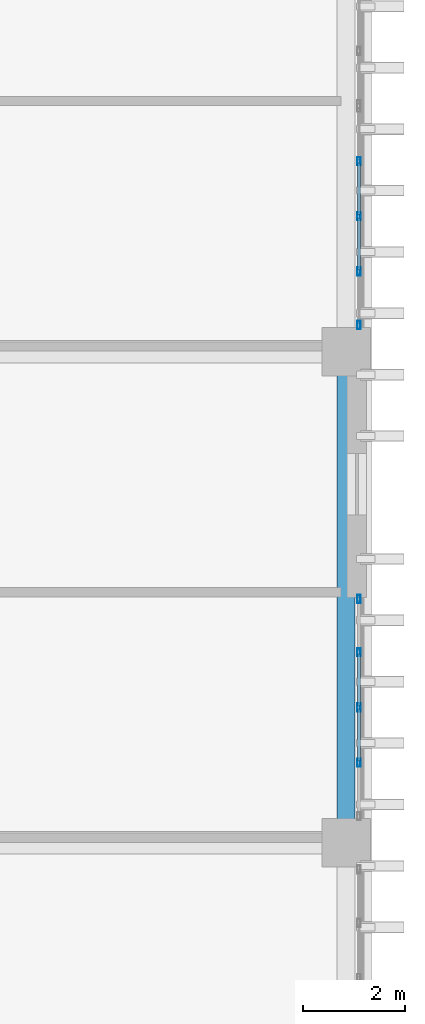
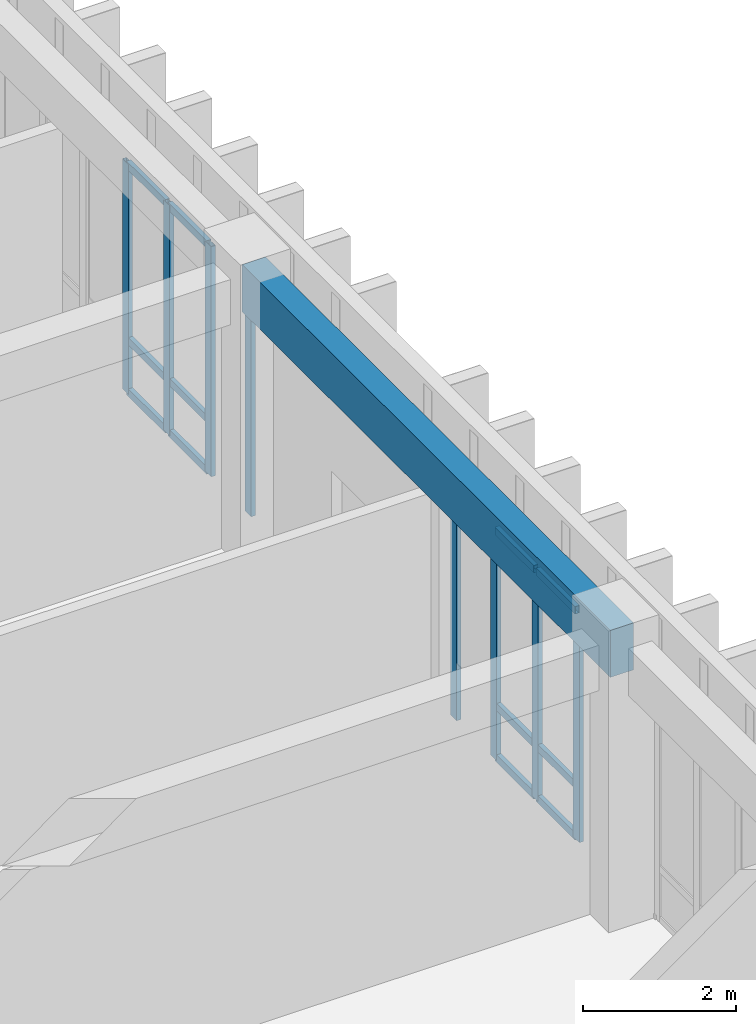
# One storey, part 71 of 133: 20 members, 1 beam, 2 elements without a shape of their own.
"""IFC4 building model written with IfcOpenShell, lengths in metres."""

import ifcopenshell
import ifcopenshell.guid

model = None  # the IFC model being written
_history = None  # IfcOwnerHistory: only IFC2X3 demands one
_inside = {}  # id of a spatial element -> (the spatial element, [elements in it])
_under = {}  # id of a project, library or spatial element -> (it, [spatial elements below it])
_declared = {}  # id of a project -> (the project, [libraries it declares])
_typed = {}  # id of a type object -> (the type object, [elements of that type])
_made_of = {}  # id of a material, layer set ... -> (it, [elements and type objects made of it])


def new_model(schema):
    """Start an empty IFC model of exactly this schema.

    Asked for "IFC4X3", IfcOpenShell would pick the latest addendum, in which some entities
    have other attributes; the version numbers below select the first issue.
    IFC2X3 requires an IfcOwnerHistory on every rooted entity: one is made here for all.
    """
    global model, _history
    if schema == "IFC4X3":
        model = ifcopenshell.file(schema_version=(4, 3, 0, 0))
    else:
        model = ifcopenshell.file(schema=schema)
    _inside.clear()
    _under.clear()
    _declared.clear()
    _typed.clear()
    _made_of.clear()
    _history = None
    if model.schema == "IFC2X3":
        org = make("IfcOrganization", Name="unknown")
        user = make(
            "IfcPersonAndOrganization",
            ThePerson=make("IfcPerson", FamilyName="unknown"),
            TheOrganization=org,
        )
        app = make(
            "IfcApplication",
            ApplicationDeveloper=org,
            Version="unknown",
            ApplicationFullName="unknown",
            ApplicationIdentifier="unknown",
        )
        _history = make(
            "IfcOwnerHistory",
            OwningUser=user,
            OwningApplication=app,
            ChangeAction="ADDED",
            CreationDate=0,
        )
    return model


def make(cls, **values):
    """One entity of the class cls with the attributes given. An attribute that is None is left unset."""
    return model.create_entity(
        cls, **{name: value for name, value in values.items() if value is not None}
    )


def rooted(cls, **values):
    """An entity with a GlobalId (a new one), such as an element, a storey or a relation."""
    return make(cls, GlobalId=ifcopenshell.guid.new(), OwnerHistory=_history, **values)


def si_unit(unit_type, name, prefix=None):
    """IfcSIUnit, for example si_unit("LENGTHUNIT", "METRE", prefix="MILLI")."""
    return make("IfcSIUnit", UnitType=unit_type, Prefix=prefix, Name=name)


def assignment(units):
    """IfcUnitAssignment: the units of a project."""
    return None if units is None else make("IfcUnitAssignment", Units=units)


def point(xyz):
    """IfcCartesianPoint."""
    return None if xyz is None else make("IfcCartesianPoint", Coordinates=xyz)


def direction(xyz):
    """IfcDirection."""
    return None if xyz is None else make("IfcDirection", DirectionRatios=xyz)


def frame(location, z_axis=None, x_axis=None):
    """IfcAxis2Placement3D, a coordinate frame: its origin and axes. An axis left out is left unset."""
    return make(
        "IfcAxis2Placement3D",
        Location=point(location),
        Axis=direction(z_axis),
        RefDirection=direction(x_axis),
    )


def frame_2d(location, x_axis=None):
    """IfcAxis2Placement2D, a coordinate frame in the plane: its origin and x axis."""
    return make(
        "IfcAxis2Placement2D", Location=point(location), RefDirection=direction(x_axis)
    )


def origin():
    """The frame at (0, 0, 0) with its axes left unset."""
    return frame((0.0, 0.0, 0.0))


def origin_2d():
    """The frame at (0, 0) in the plane with its x axis left unset."""
    return frame_2d((0.0, 0.0))


def place(relative_to, where):
    """IfcLocalPlacement: puts the frame where relative to a parent placement (None: the world)."""
    return make(
        "IfcLocalPlacement", PlacementRelTo=relative_to, RelativePlacement=where
    )


def context(
    kind, dimensions, precision=None, world=None, true_north=None, identifier=None
):
    """IfcGeometricRepresentationContext, for example the 3D "Model" context."""
    return make(
        "IfcGeometricRepresentationContext",
        ContextIdentifier=identifier,
        ContextType=kind,
        CoordinateSpaceDimension=dimensions,
        Precision=precision,
        WorldCoordinateSystem=world,
        TrueNorth=true_north,
    )


def subcontext(parent, identifier, kind, view, scale=None):
    """IfcGeometricRepresentationSubContext, for example "Body" below "Model"."""
    return make(
        "IfcGeometricRepresentationSubContext",
        ContextIdentifier=identifier,
        ContextType=kind,
        ParentContext=parent,
        TargetScale=scale,
        TargetView=view,
    )


def project(units=None, contexts=None):
    """IfcProject with its units and contexts."""
    return rooted(
        "IfcProject",
        Name="project",
        RepresentationContexts=contexts,
        UnitsInContext=assignment(units),
    )


def spatial(cls, under=None, at=None, **own):
    """A site, building, storey or space (cls), placed at a placement, below another one or the project."""
    s = rooted(cls, ObjectPlacement=at, **own)
    if under is not None:
        _under.setdefault(under.id(), (under, []))[1].append(s)
    return s


def profile(cls, at=None, kind="AREA", **sizes):
    """A parametric profile (cls). Its sizes go by their IFC names, for example OverallWidth=200.0."""
    return make(cls, ProfileType=kind, Position=at, **sizes)


def rectangle(**sizes):
    """IfcRectangleProfileDef."""
    return profile("IfcRectangleProfileDef", **sizes)


def hollow_rectangle(**sizes):
    """IfcRectangleHollowProfileDef."""
    return profile("IfcRectangleHollowProfileDef", **sizes)


def extrude(swept, where, along, depth):
    """IfcExtrudedAreaSolid: the profile swept, set in the frame where, extruded along a direction by depth."""
    return make(
        "IfcExtrudedAreaSolid",
        SweptArea=swept,
        Position=where,
        ExtrudedDirection=direction(along),
        Depth=depth,
    )


def shape(context_of_items, identifier, shape_type, items):
    """IfcShapeRepresentation: the items that make up one representation, for example the "Body"."""
    return make(
        "IfcShapeRepresentation",
        ContextOfItems=context_of_items,
        RepresentationIdentifier=identifier,
        RepresentationType=shape_type,
        Items=items,
    )


def material(Name=None, Category=None):
    """IfcMaterial."""
    return make("IfcMaterial", Name=Name, Category=Category)


def layer(
    of_material, thickness, ventilated=None, Name=None, Category=None, Priority=None
):
    """IfcMaterialLayer: one layer of a wall or slab, of a material (None: an air gap)."""
    return make(
        "IfcMaterialLayer",
        Material=of_material,
        LayerThickness=thickness,
        IsVentilated=ventilated,
        Name=Name,
        Category=Category,
        Priority=Priority,
    )


def layer_set(layers, Name=None):
    """IfcMaterialLayerSet."""
    return make("IfcMaterialLayerSet", MaterialLayers=layers, LayerSetName=Name)


def material_profile(
    of_material, cross_section, Name=None, Category=None, Priority=None
):
    """IfcMaterialProfile: a cross section and its material."""
    return make(
        "IfcMaterialProfile",
        Name=Name,
        Material=of_material,
        Profile=cross_section,
        Priority=Priority,
        Category=Category,
    )


def profile_set(profiles, Name=None, composite=None):
    """IfcMaterialProfileSet."""
    return make(
        "IfcMaterialProfileSet",
        Name=Name,
        MaterialProfiles=profiles,
        CompositeProfile=composite,
    )


def made_of(thing, what):
    """Note that an element or type object is made of a material, layer set ...; save() writes the relation."""
    if what is not None:
        _made_of.setdefault(what.id(), (what, []))[1].append(thing)
    return thing


def type_object(cls, material=None, **own):
    """A type object (cls), such as IfcWallType, which elements share."""
    return made_of(rooted(cls, **own), material)


def element(
    cls,
    number,
    at=None,
    inside=None,
    cuts=None,
    type_object=None,
    material=None,
    context=None,
    identifier="Body",
    shape_type=None,
    held_by="IfcProductDefinitionShape",
    body=None,
    shapes=None,
    **own,
):
    """One element of the class cls, such as IfcWall. Its Tag is "e" and its number.

    at: its placement. inside: the storey or other place that contains it. cuts: it is an
    opening in that element (IfcRelVoidsElement). A single representation is given by context,
    identifier, shape_type and body (its items); several are given by shapes. held_by: the class
    of the entity that holds the representations. save() writes the other relations.
    """
    e = rooted(cls, Tag="e%d" % number, ObjectPlacement=at, **own)
    if body is not None:
        shapes = [shape(context, identifier, shape_type, body)]
    if shapes is not None:
        e.Representation = make(held_by, Representations=shapes)
    if inside is not None:
        _inside.setdefault(inside.id(), (inside, []))[1].append(e)
    if cuts is not None:
        rooted(
            "IfcRelVoidsElement", RelatingBuildingElement=cuts, RelatedOpeningElement=e
        )
    if type_object is not None:
        _typed.setdefault(type_object.id(), (type_object, []))[1].append(e)
    return made_of(e, material)


def aggregate(whole, parts):
    """IfcRelAggregates: a whole, such as a stair, and the parts it consists of."""
    return rooted("IfcRelAggregates", RelatingObject=whole, RelatedObjects=parts)


def save(model, path):
    """Write the relations noted so far, then the file.

    IfcRelAggregates (storeys below a building ...), IfcRelContainedInSpatialStructure (elements
    in a storey), IfcRelDefinesByType, IfcRelAssociatesMaterial and IfcRelDeclares: one each for
    every whole, place, type object, material and project.
    """
    for whole, parts in _under.values():
        aggregate(whole, parts)
    for where, things in _inside.values():
        rooted(
            "IfcRelContainedInSpatialStructure",
            RelatedElements=things,
            RelatingStructure=where,
        )
    for kind, things in _typed.values():
        rooted("IfcRelDefinesByType", RelatedObjects=things, RelatingType=kind)
    for what, things in _made_of.values():
        rooted("IfcRelAssociatesMaterial", RelatedObjects=things, RelatingMaterial=what)
    for by, libraries in _declared.values():
        rooted("IfcRelDeclares", RelatingContext=by, RelatedDefinitions=libraries)
    model.write(path)


model = new_model("IFC4")

# Units and contexts
model_context = context("Model", 3, precision=1e-05, world=origin(), true_north=direction((0.0, 1.0)))
body_context = subcontext(model_context, "Body", "Model", "MODEL_VIEW")
ifc_project = project(units=[si_unit("LENGTHUNIT", "METRE"), si_unit("AREAUNIT", "SQUARE_METRE"), si_unit("VOLUMEUNIT", "CUBIC_METRE"), si_unit("PLANEANGLEUNIT", "RADIAN"), si_unit("MASSUNIT", "GRAM", prefix="KILO")], contexts=[model_context])

# Site, building, storey
site_placement = place(None, origin())
site = spatial("IfcSite", under=ifc_project, at=site_placement, CompositionType="ELEMENT")
building_placement = place(site_placement, origin())
building = spatial("IfcBuilding", under=site, at=building_placement, Name="Nakhvara Creek Congress Hotel", CompositionType="ELEMENT")
storey_placement = place(building_placement, frame((0.0, 0.0, 11.39990234375)))
storey = spatial("IfcBuildingStorey", under=building, at=storey_placement, Name="L02", CompositionType="ELEMENT", Elevation=11.39990234375)

# Beam
ifc_material_1 = material(Name="Concrete C40/50", Category="concrete")
ifc_material_profile_1 = material_profile(ifc_material_1, rectangle(XDim=0.35009765625, YDim=0.75, at=origin_2d()), Name="RC-SPANDREL 350x750", Category="LoadBearing")
ifc_profile_set_1 = profile_set([ifc_material_profile_1], Name="Concrete C40/50")
beam_type = type_object("IfcBeamType", Name="BM-SPN-350X750", PredefinedType="SPANDREL", material=ifc_profile_set_1)
beam_placement = place(storey_placement, frame((179.35009765625, 76.800048828125, 4.045166015625), z_axis=(0.0, 1.0, 0.0), x_axis=(-1.0, 0.0, 0.0)))
element("IfcBeam", 1, at=beam_placement, inside=storey, type_object=beam_type, Name="Beam SP1-L02-1659", PredefinedType="SPANDREL", context=body_context, shape_type="SweptSolid", body=[
    extrude(rectangle(XDim=0.35009765625, YDim=0.75, at=origin_2d()), origin(), (0.0, 0.0, 1.0), 9.599853515625),
])

# Curtain wall, members
ifc_material_2 = material(Name="Bronze-anodised aluminium AW-6063-T6 and double-silver low-E glass", Category="aluminium")
ifc_layer = layer(ifc_material_2, 0.199951171875)
ifc_layer_set = layer_set([ifc_layer], Name="Bronze-anodised aluminium AW-6063-T6 and double-silver low-E glass")
curtain_wall_type = type_object("IfcCurtainWallType", Name="CW-HTL-UNIT", PredefinedType="USERDEFINED", material=ifc_layer_set)
curtain_wall_1_placement = place(storey_placement, origin())
curtain_wall_1 = element("IfcCurtainWall", 2, at=curtain_wall_1_placement, inside=storey, type_object=curtain_wall_type, Name="Curtain Wall CW139", ObjectType="UNITISED", PredefinedType="USERDEFINED")
ifc_material_3 = material(Name="Bronze-anodised aluminium AW-6063-T6", Category="aluminium")
ifc_material_profile_2 = material_profile(ifc_material_3, hollow_rectangle(XDim=0.06494140625, YDim=0.159912109375, WallThickness=0.00390625, at=origin_2d()), Name="ALU-MULL 65x160x4", Category="LoadBearing")
ifc_profile_set_2 = profile_set([ifc_material_profile_2], Name="Bronze-anodised aluminium AW-6063-T6")
member_type_1 = type_object("IfcMemberType", Name="CW-MULL-160", PredefinedType="MULLION", material=ifc_profile_set_2)
member_1_placement = place(storey_placement, frame((179.60009765625, 81.5673828125, 0.0), z_axis=(0.0, 0.0, 1.0), x_axis=(1.0, 0.0, 0.0)))
member_1 = element("IfcMember", 3, at=member_1_placement, type_object=member_type_1, Name="CW139 mullion 1", PredefinedType="MULLION", context=body_context, shape_type="SweptSolid", body=[
    extrude(hollow_rectangle(XDim=0.06494140625, YDim=0.159912109375, WallThickness=0.00390625, at=origin_2d()), origin(), (0.0, 0.0, 1.0), 3.662109375),
])
member_2_placement = place(storey_placement, frame((179.60009765625, 80.5224609375, 0.0), z_axis=(0.0, 0.0, 1.0), x_axis=(1.0, 0.0, 0.0)))
member_2 = element("IfcMember", 4, at=member_2_placement, type_object=member_type_1, Name="CW139 mullion 2", PredefinedType="MULLION", context=body_context, shape_type="SweptSolid", body=[
    extrude(hollow_rectangle(XDim=0.06494140625, YDim=0.159912109375, WallThickness=0.00390625, at=origin_2d()), origin(), (0.0, 0.0, 1.0), 3.662109375),
])
member_3_placement = place(storey_placement, frame((179.60009765625, 79.445068359375, 0.0), z_axis=(0.0, 0.0, 1.0), x_axis=(1.0, 0.0, 0.0)))
member_3 = element("IfcMember", 5, at=member_3_placement, type_object=member_type_1, Name="CW139 mullion 3", PredefinedType="MULLION", context=body_context, shape_type="SweptSolid", body=[
    extrude(hollow_rectangle(XDim=0.06494140625, YDim=0.159912109375, WallThickness=0.00390625, at=origin_2d()), origin(), (0.0, 0.0, 1.0), 3.662109375),
])
member_4_placement = place(storey_placement, frame((179.60009765625, 78.367431640625, 0.0), z_axis=(0.0, 0.0, 1.0), x_axis=(1.0, 0.0, 0.0)))
member_4 = element("IfcMember", 6, at=member_4_placement, type_object=member_type_1, Name="CW139 mullion 4", PredefinedType="MULLION", context=body_context, shape_type="SweptSolid", body=[
    extrude(hollow_rectangle(XDim=0.06494140625, YDim=0.159912109375, WallThickness=0.00390625, at=origin_2d()), origin(), (0.0, 0.0, 1.0), 3.662109375),
])

curtain_wall_2_placement = place(storey_placement, origin())
curtain_wall_2 = element("IfcCurtainWall", 7, at=curtain_wall_2_placement, inside=storey, type_object=curtain_wall_type, Name="Curtain Wall CW140", ObjectType="UNITISED", PredefinedType="USERDEFINED")
member_5_placement = place(storey_placement, frame((179.60009765625, 90.12255859375, 0.0), z_axis=(0.0, 0.0, 1.0), x_axis=(1.0, 0.0, 0.0)))
member_5 = element("IfcMember", 8, at=member_5_placement, type_object=member_type_1, Name="CW140 mullion 2", PredefinedType="MULLION", context=body_context, shape_type="SweptSolid", body=[
    extrude(hollow_rectangle(XDim=0.06494140625, YDim=0.159912109375, WallThickness=0.00390625, at=origin_2d()), origin(), (0.0, 0.0, 1.0), 3.662109375),
])
member_6_placement = place(storey_placement, frame((179.60009765625, 89.044921875, 0.0), z_axis=(0.0, 0.0, 1.0), x_axis=(1.0, 0.0, 0.0)))
member_6 = element("IfcMember", 9, at=member_6_placement, type_object=member_type_1, Name="CW140 mullion 3", PredefinedType="MULLION", context=body_context, shape_type="SweptSolid", body=[
    extrude(hollow_rectangle(XDim=0.06494140625, YDim=0.159912109375, WallThickness=0.00390625, at=origin_2d()), origin(), (0.0, 0.0, 1.0), 3.662109375),
])
member_7_placement = place(storey_placement, frame((179.60009765625, 87.967529296875, 0.0), z_axis=(0.0, 0.0, 1.0), x_axis=(1.0, 0.0, 0.0)))
member_7 = element("IfcMember", 10, at=member_7_placement, type_object=member_type_1, Name="CW140 mullion 4", PredefinedType="MULLION", context=body_context, shape_type="SweptSolid", body=[
    extrude(hollow_rectangle(XDim=0.06494140625, YDim=0.159912109375, WallThickness=0.00390625, at=origin_2d()), origin(), (0.0, 0.0, 1.0), 3.662109375),
])
member_8_placement = place(storey_placement, frame((179.60009765625, 86.922607421875, 0.0), z_axis=(0.0, 0.0, 1.0), x_axis=(1.0, 0.0, 0.0)))
member_8 = element("IfcMember", 11, at=member_8_placement, type_object=member_type_1, Name="CW140 mullion 5", PredefinedType="MULLION", context=body_context, shape_type="SweptSolid", body=[
    extrude(hollow_rectangle(XDim=0.06494140625, YDim=0.159912109375, WallThickness=0.00390625, at=origin_2d()), origin(), (0.0, 0.0, 1.0), 3.662109375),
])

# Member
ifc_material_profile_3 = material_profile(ifc_material_3, hollow_rectangle(XDim=0.06494140625, YDim=0.1201171875, WallThickness=0.00390625, at=origin_2d()), Name="ALU-TRAN 65x120x4", Category="LoadBearing")
ifc_profile_set_3 = profile_set([ifc_material_profile_3], Name="Bronze-anodised aluminium AW-6063-T6")
member_type_2 = type_object("IfcMemberType", Name="CW-TRAN-120", PredefinedType="USERDEFINED", material=ifc_profile_set_3)
member_9_placement = place(storey_placement, frame((179.60009765625, 80.489990234375, 0.03271484375), z_axis=(0.0, -1.0, 0.0), x_axis=(1.0, 0.0, 0.0)))
member_9 = element("IfcMember", 12, at=member_9_placement, type_object=member_type_2, Name="CW139 transom 2.1", ObjectType="TRANSOM", PredefinedType="USERDEFINED", context=body_context, shape_type="SweptSolid", body=[
    extrude(hollow_rectangle(XDim=0.06494140625, YDim=0.1201171875, WallThickness=0.00390625, at=origin_2d()), origin(), (0.0, 0.0, 1.0), 1.012451171875),
])

member_10_placement = place(storey_placement, frame((179.60009765625, 80.489990234375, 0.85009765625), z_axis=(0.0, -1.0, 0.0), x_axis=(1.0, 0.0, 0.0)))
member_10 = element("IfcMember", 13, at=member_10_placement, type_object=member_type_2, Name="CW139 transom 2.2", ObjectType="TRANSOM", PredefinedType="USERDEFINED", context=body_context, shape_type="SweptSolid", body=[
    extrude(hollow_rectangle(XDim=0.06494140625, YDim=0.1201171875, WallThickness=0.00390625, at=origin_2d()), origin(), (0.0, 0.0, 1.0), 1.012451171875),
])

member_11_placement = place(storey_placement, frame((179.60009765625, 80.489990234375, 3.629638671875), z_axis=(0.0, -1.0, 0.0), x_axis=(1.0, 0.0, 0.0)))
member_11 = element("IfcMember", 14, at=member_11_placement, type_object=member_type_2, Name="CW139 transom 2.3", ObjectType="TRANSOM", PredefinedType="USERDEFINED", context=body_context, shape_type="SweptSolid", body=[
    extrude(hollow_rectangle(XDim=0.06494140625, YDim=0.1201171875, WallThickness=0.00390625, at=origin_2d()), origin(), (0.0, 0.0, 1.0), 1.012451171875),
])

member_12_placement = place(storey_placement, frame((179.60009765625, 79.41259765625, 0.03271484375), z_axis=(0.0, -1.0, 0.0), x_axis=(1.0, 0.0, 0.0)))
member_12 = element("IfcMember", 15, at=member_12_placement, type_object=member_type_2, Name="CW139 transom 3.1", ObjectType="TRANSOM", PredefinedType="USERDEFINED", context=body_context, shape_type="SweptSolid", body=[
    extrude(hollow_rectangle(XDim=0.06494140625, YDim=0.1201171875, WallThickness=0.00390625, at=origin_2d()), origin(), (0.0, 0.0, 1.0), 1.0126953125),
])

member_13_placement = place(storey_placement, frame((179.60009765625, 79.41259765625, 0.85009765625), z_axis=(0.0, -1.0, 0.0), x_axis=(1.0, 0.0, 0.0)))
member_13 = element("IfcMember", 16, at=member_13_placement, type_object=member_type_2, Name="CW139 transom 3.2", ObjectType="TRANSOM", PredefinedType="USERDEFINED", context=body_context, shape_type="SweptSolid", body=[
    extrude(hollow_rectangle(XDim=0.06494140625, YDim=0.1201171875, WallThickness=0.00390625, at=origin_2d()), origin(), (0.0, 0.0, 1.0), 1.0126953125),
])

member_14_placement = place(storey_placement, frame((179.60009765625, 79.41259765625, 3.629638671875), z_axis=(0.0, -1.0, 0.0), x_axis=(1.0, 0.0, 0.0)))
member_14 = element("IfcMember", 17, at=member_14_placement, type_object=member_type_2, Name="CW139 transom 3.3", ObjectType="TRANSOM", PredefinedType="USERDEFINED", context=body_context, shape_type="SweptSolid", body=[
    extrude(hollow_rectangle(XDim=0.06494140625, YDim=0.1201171875, WallThickness=0.00390625, at=origin_2d()), origin(), (0.0, 0.0, 1.0), 1.0126953125),
])

aggregate(curtain_wall_1, [member_1, member_2, member_3, member_4, member_9, member_10, member_11, member_12, member_13, member_14])

member_15_placement = place(storey_placement, frame((179.60009765625, 90.090087890625, 0.03271484375), z_axis=(0.0, -1.0, 0.0), x_axis=(1.0, 0.0, 0.0)))
member_15 = element("IfcMember", 18, at=member_15_placement, type_object=member_type_2, Name="CW140 transom 2.1", ObjectType="TRANSOM", PredefinedType="USERDEFINED", context=body_context, shape_type="SweptSolid", body=[
    extrude(hollow_rectangle(XDim=0.06494140625, YDim=0.1201171875, WallThickness=0.00390625, at=origin_2d()), origin(), (0.0, 0.0, 1.0), 1.0126953125),
])

member_16_placement = place(storey_placement, frame((179.60009765625, 90.090087890625, 0.85009765625), z_axis=(0.0, -1.0, 0.0), x_axis=(1.0, 0.0, 0.0)))
member_16 = element("IfcMember", 19, at=member_16_placement, type_object=member_type_2, Name="CW140 transom 2.2", ObjectType="TRANSOM", PredefinedType="USERDEFINED", context=body_context, shape_type="SweptSolid", body=[
    extrude(hollow_rectangle(XDim=0.06494140625, YDim=0.1201171875, WallThickness=0.00390625, at=origin_2d()), origin(), (0.0, 0.0, 1.0), 1.0126953125),
])

member_17_placement = place(storey_placement, frame((179.60009765625, 90.090087890625, 3.629638671875), z_axis=(0.0, -1.0, 0.0), x_axis=(1.0, 0.0, 0.0)))
member_17 = element("IfcMember", 20, at=member_17_placement, type_object=member_type_2, Name="CW140 transom 2.3", ObjectType="TRANSOM", PredefinedType="USERDEFINED", context=body_context, shape_type="SweptSolid", body=[
    extrude(hollow_rectangle(XDim=0.06494140625, YDim=0.1201171875, WallThickness=0.00390625, at=origin_2d()), origin(), (0.0, 0.0, 1.0), 1.0126953125),
])

member_18_placement = place(storey_placement, frame((179.60009765625, 89.012451171875, 0.03271484375), z_axis=(0.0, -1.0, 0.0), x_axis=(1.0, 0.0, 0.0)))
member_18 = element("IfcMember", 21, at=member_18_placement, type_object=member_type_2, Name="CW140 transom 3.1", ObjectType="TRANSOM", PredefinedType="USERDEFINED", context=body_context, shape_type="SweptSolid", body=[
    extrude(hollow_rectangle(XDim=0.06494140625, YDim=0.1201171875, WallThickness=0.00390625, at=origin_2d()), origin(), (0.0, 0.0, 1.0), 1.012451171875),
])

member_19_placement = place(storey_placement, frame((179.60009765625, 89.012451171875, 0.85009765625), z_axis=(0.0, -1.0, 0.0), x_axis=(1.0, 0.0, 0.0)))
member_19 = element("IfcMember", 22, at=member_19_placement, type_object=member_type_2, Name="CW140 transom 3.2", ObjectType="TRANSOM", PredefinedType="USERDEFINED", context=body_context, shape_type="SweptSolid", body=[
    extrude(hollow_rectangle(XDim=0.06494140625, YDim=0.1201171875, WallThickness=0.00390625, at=origin_2d()), origin(), (0.0, 0.0, 1.0), 1.012451171875),
])

member_20_placement = place(storey_placement, frame((179.60009765625, 89.012451171875, 3.629638671875), z_axis=(0.0, -1.0, 0.0), x_axis=(1.0, 0.0, 0.0)))
member_20 = element("IfcMember", 23, at=member_20_placement, type_object=member_type_2, Name="CW140 transom 3.3", ObjectType="TRANSOM", PredefinedType="USERDEFINED", context=body_context, shape_type="SweptSolid", body=[
    extrude(hollow_rectangle(XDim=0.06494140625, YDim=0.1201171875, WallThickness=0.00390625, at=origin_2d()), origin(), (0.0, 0.0, 1.0), 1.012451171875),
])

aggregate(curtain_wall_2, [member_5, member_6, member_7, member_8, member_15, member_16, member_17, member_18, member_19, member_20])

save(model, "model.ifc")
